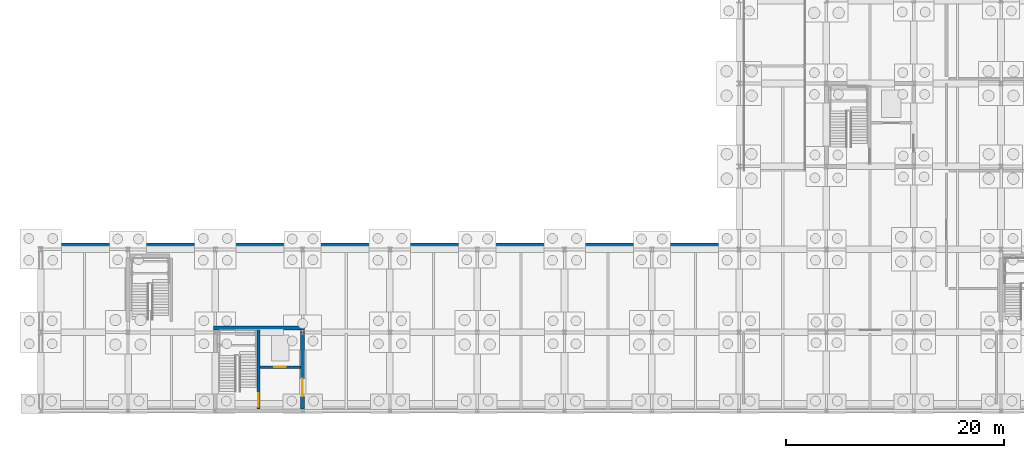
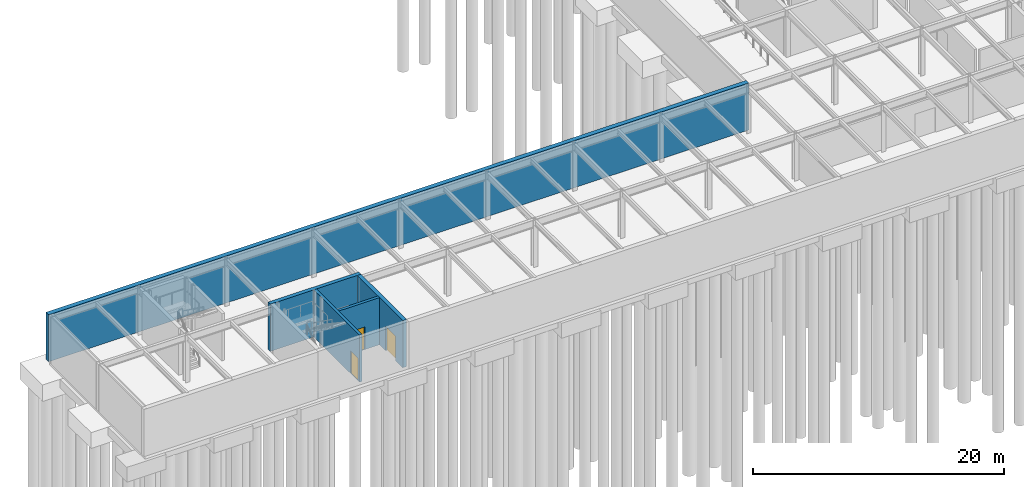
# One storey, part 15 of 21: 5 walls, 3 doors, 3 openings.
"""IFC4 building model written with IfcOpenShell, lengths in metres."""

from ifc_helpers import new_model, si_unit, direction, frame, frame_2d, origin, place, context, subcontext, project, spatial, rectangle, extrude, material, layer, layer_set, type_object, element, fill, save


model = new_model("IFC4")

# Units and contexts
model_context = context("Model", 3, precision=1e-05, world=origin(), true_north=direction((0.0, 1.0)))
body_context = subcontext(model_context, "Body", "Model", "MODEL_VIEW")
ifc_project = project(units=[si_unit("LENGTHUNIT", "METRE"), si_unit("AREAUNIT", "SQUARE_METRE"), si_unit("VOLUMEUNIT", "CUBIC_METRE"), si_unit("PLANEANGLEUNIT", "RADIAN"), si_unit("MASSUNIT", "GRAM", prefix="KILO")], contexts=[model_context])

# Site, building, storey
site_placement = place(None, origin())
site = spatial("IfcSite", under=ifc_project, at=site_placement, CompositionType="ELEMENT")
building_placement = place(site_placement, origin())
building = spatial("IfcBuilding", under=site, at=building_placement, Name="Zulena Civic Courthouse", CompositionType="ELEMENT")
storey_placement = place(building_placement, frame((0.0, 0.0, -4.800048828125)))
storey = spatial("IfcBuildingStorey", under=building, at=storey_placement, Name="B01", CompositionType="ELEMENT", Elevation=-4.800048828125)

# Wall, opening, door
ifc_material_1 = material(Name="Concrete C40/50", Category="concrete")
ifc_layer_1 = layer(ifc_material_1, 0.25)
ifc_layer_set_1 = layer_set([ifc_layer_1], Name="Concrete C40/50")
wall_type_1 = type_object("IfcWallType", Name="CoreShearWall_RC250", PredefinedType="SHEAR", material=ifc_layer_set_1)
wall_1_placement = place(storey_placement, frame((23.949951171875, 46.175048828125, 0.0), z_axis=(0.0, 0.0, 1.0), x_axis=(0.0, 1.0, 0.0)))
wall_1 = element("IfcWall", 1, at=wall_1_placement, inside=storey, type_object=wall_type_1, Name="cwall:K5A:B01:DIV", PredefinedType="SHEAR", context=body_context, shape_type="SweptSolid", body=[
    extrude(rectangle(XDim=7.25, YDim=0.25, at=frame_2d((3.625, 0.0))), origin(), (0.0, 0.0, 1.0), 4.590087890625),
])
opening_1_placement = place(wall_1_placement, frame((0.179931640625, 0.0, 0.0)))
opening_1 = element("IfcOpeningElement", 2, at=opening_1_placement, cuts=wall_1, Name="Opening ID06", PredefinedType="OPENING", context=body_context, shape_type="SweptSolid", body=[
    extrude(rectangle(XDim=1.25, YDim=2.199951171875, at=frame_2d((0.625, 1.10009765625))), frame((0.0, 0.135009765625, 0.0), z_axis=(0.0, -1.0, 0.0), x_axis=(1.0, 0.0, 0.0)), (0.0, 0.0, 1.0), 0.27001953125),
])
ifc_material_2 = material(Name="Fire-rated galvanised steel ASTM A653 Grade 50", Category="steel")
door_type_1 = type_object("IfcDoorType", Name="IntDoor_Stair_1250x2200", OperationType="NOTDEFINED", PredefinedType="DOOR", material=ifc_material_2)
door_1_placement = place(opening_1_placement, origin())
door_1 = element("IfcDoor", 3, at=door_1_placement, inside=storey, type_object=door_type_1, Name="door:stair:K5A:B01", OperationType="SINGLE_SWING_LEFT", OverallHeight=2.199951171875, OverallWidth=1.25, PredefinedType="DOOR", context=body_context, shape_type="SweptSolid", body=[
    extrude(rectangle(XDim=1.25, YDim=2.199951171875, at=frame_2d((0.625, 1.10009765625))), frame((0.0, 0.02490234375, 0.0), z_axis=(0.0, -1.0, 0.0), x_axis=(1.0, 0.0, 0.0)), (0.0, 0.0, 1.0), 0.050048828125),
])
fill(opening_1, door_1)

wall_2_placement = place(storey_placement, frame((24.074951171875, 50.0, 0.0), z_axis=(0.0, 0.0, 1.0), x_axis=(1.0, 0.0, 0.0)))
wall_2 = element("IfcWall", 4, at=wall_2_placement, inside=storey, type_object=wall_type_1, Name="cwall:K5A:B01:SHF", PredefinedType="SHEAR", context=body_context, shape_type="SweptSolid", body=[
    extrude(rectangle(XDim=3.75, YDim=0.25, at=frame_2d((1.875, 0.0))), origin(), (0.0, 0.0, 1.0), 4.590087890625),
])
opening_2_placement = place(wall_2_placement, frame((1.344970703125, 0.0, 0.0)))
opening_2 = element("IfcOpeningElement", 5, at=opening_2_placement, cuts=wall_2, Name="Opening LD03", PredefinedType="OPENING", context=body_context, shape_type="SweptSolid", body=[
    extrude(rectangle(XDim=1.050048828125, YDim=2.199951171875, at=frame_2d((0.52490234375, 1.10009765625))), frame((0.0, 0.135009765625, 0.0), z_axis=(0.0, -1.0, 0.0), x_axis=(1.0, 0.0, 0.0)), (0.0, 0.0, 1.0), 0.27001953125),
])
door_type_2 = type_object("IfcDoorType", Name="LiftLandingDoor_Jud_1050x2200", OperationType="SLIDING_TO_RIGHT", PredefinedType="DOOR", material=ifc_material_2)
door_2_placement = place(opening_2_placement, origin())
door_2 = element("IfcDoor", 6, at=door_2_placement, inside=storey, type_object=door_type_2, Name="door:ld:JL-02:B01", OperationType="SLIDING_TO_RIGHT", OverallHeight=2.199951171875, OverallWidth=1.050048828125, PredefinedType="DOOR", context=body_context, shape_type="SweptSolid", body=[
    extrude(rectangle(XDim=1.050048828125, YDim=2.199951171875, at=frame_2d((0.52490234375, 1.10009765625))), frame((0.0, 0.02490234375, 0.0), z_axis=(0.0, -1.0, 0.0), x_axis=(1.0, 0.0, 0.0)), (0.0, 0.0, 1.0), 0.050048828125),
])
fill(opening_2, door_2)

# Wall
ifc_layer_2 = layer(ifc_material_1, 0.35009765625)
ifc_layer_set_2 = layer_set([ifc_layer_2], Name="Concrete C40/50")
wall_type_2 = type_object("IfcWallType", Name="CoreShearWall_RC350", PredefinedType="SHEAR", material=ifc_layer_set_2)
wall_3_placement = place(storey_placement, frame((19.824951171875, 53.60009765625, 0.0), z_axis=(0.0, 0.0, 1.0), x_axis=(1.0, 0.0, 0.0)))
element("IfcWall", 7, at=wall_3_placement, inside=storey, type_object=wall_type_2, Name="cwall:K5A:B01:N", PredefinedType="SHEAR", context=body_context, shape_type="SweptSolid", body=[
    extrude(rectangle(XDim=8.35009765625, YDim=0.35009765625, at=frame_2d((4.175048828125, 0.0))), origin(), (0.0, 0.0, 1.0), 4.590087890625),
])

# Wall, opening, door
wall_4_placement = place(storey_placement, frame((28.0, 46.175048828125, 0.0), z_axis=(0.0, 0.0, 1.0), x_axis=(0.0, 1.0, 0.0)))
wall_4 = element("IfcWall", 8, at=wall_4_placement, inside=storey, type_object=wall_type_2, Name="cwall:K5A:B01:E", PredefinedType="SHEAR", context=body_context, shape_type="SweptSolid", body=[
    extrude(rectangle(XDim=7.25, YDim=0.35009765625, at=frame_2d((3.625, 0.0))), origin(), (0.0, 0.0, 1.0), 4.590087890625),
])
opening_3_placement = place(wall_4_placement, frame((1.14990234375, 0.0, 0.0)))
opening_3 = element("IfcOpeningElement", 9, at=opening_3_placement, cuts=wall_4, Name="Opening ID04", PredefinedType="OPENING", context=body_context, shape_type="SweptSolid", body=[
    extrude(rectangle(XDim=1.60009765625, YDim=2.35009765625, at=frame_2d((0.800048828125, 1.175048828125))), frame((0.0, 0.18505859375, 0.0), z_axis=(0.0, -1.0, 0.0), x_axis=(1.0, 0.0, 0.0)), (0.0, 0.0, 1.0), 0.3701171875),
])
ifc_material_3 = material(Name="Solid-core acoustic hardwood timber", Category="wood")
door_type_3 = type_object("IfcDoorType", Name="IntDoor_CourtPublic_1600x2350", OperationType="DOUBLE_DOOR_SINGLE_SWING", PredefinedType="DOOR", material=ifc_material_3)
door_3_placement = place(opening_3_placement, origin())
door_3 = element("IfcDoor", 10, at=door_3_placement, inside=storey, type_object=door_type_3, Name="door:corelob:K5A:B01", OperationType="DOUBLE_DOOR_SINGLE_SWING", OverallHeight=2.35009765625, OverallWidth=1.60009765625, PredefinedType="DOOR", context=body_context, shape_type="SweptSolid", body=[
    extrude(rectangle(XDim=1.60009765625, YDim=2.35009765625, at=frame_2d((0.800048828125, 1.175048828125))), frame((0.0, 0.02490234375, 0.0), z_axis=(0.0, -1.0, 0.0), x_axis=(1.0, 0.0, 0.0)), (0.0, 0.0, 1.0), 0.050048828125),
])
fill(opening_3, door_3)

# Wall
ifc_layer_3 = layer(ifc_material_1, 0.409912109375)
ifc_layer_set_3 = layer_set([ifc_layer_3], Name="Concrete C40/50")
wall_type_3 = type_object("IfcWallType", Name="RetainingWall_RC410", PredefinedType="USERDEFINED", material=ifc_layer_set_3)
wall_5_placement = place(storey_placement, frame((68.205078125, 61.199951171875, 0.0), z_axis=(0.0, 0.0, 1.0), x_axis=(-1.0, 0.0, 0.0)))
element("IfcWall", 11, at=wall_5_placement, inside=storey, type_object=wall_type_3, Name="rwall:B01:4:0", ObjectType="RETAININGWALL", PredefinedType="USERDEFINED", context=body_context, shape_type="SweptSolid", body=[
    extrude(rectangle(XDim=64.41015625, YDim=0.409912109375, at=frame_2d((32.205078125, 0.0))), origin(), (0.0, 0.0, 1.0), 4.580078125),
])

save(model, "model.ifc")
